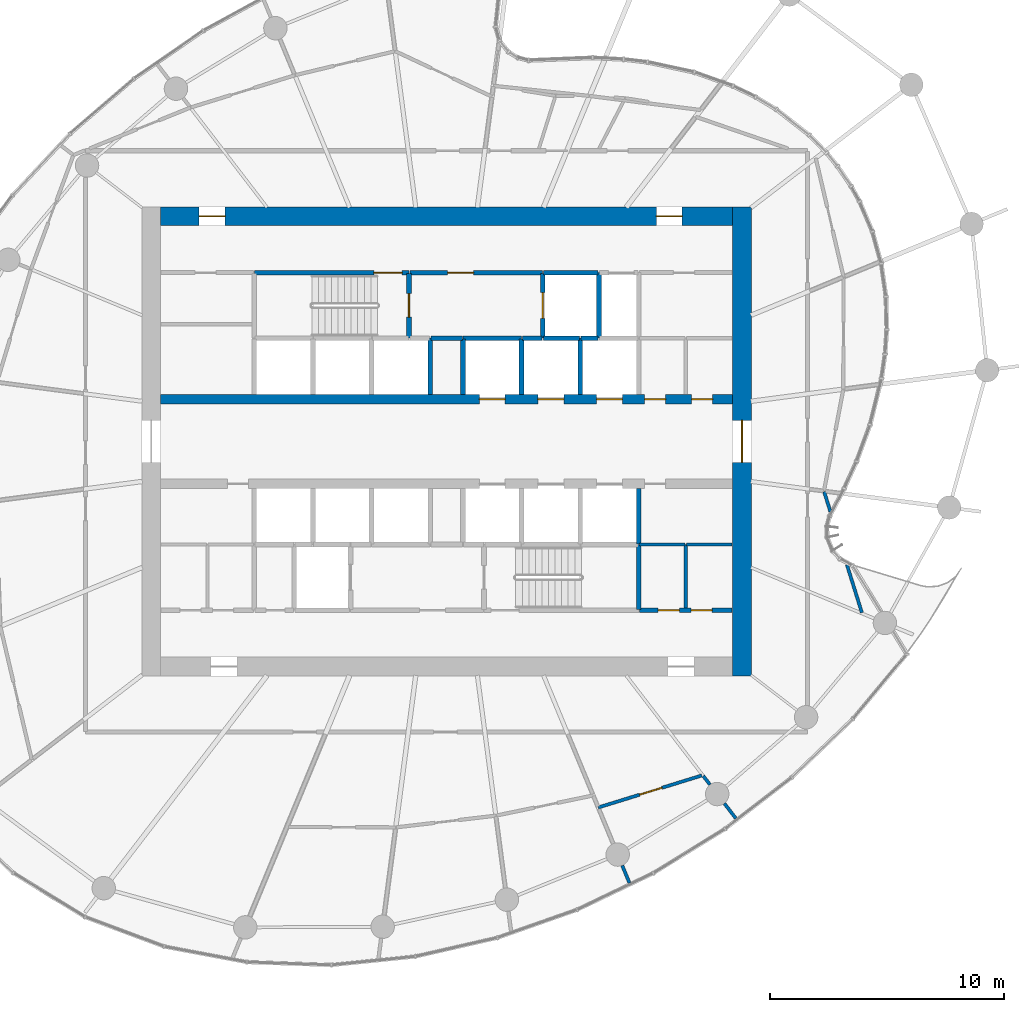
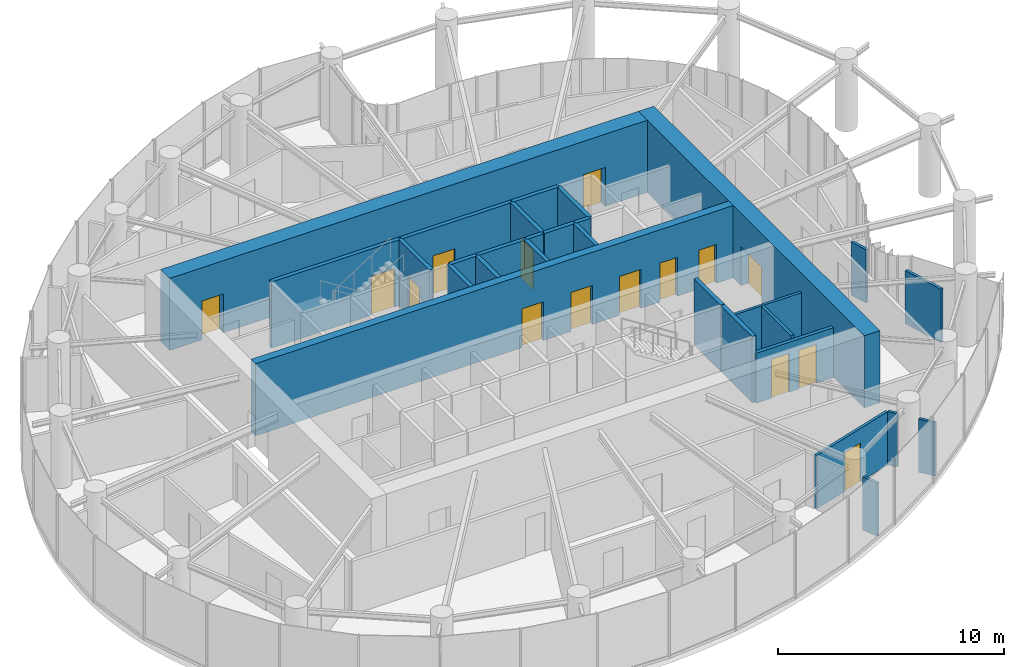
# One storey, part 15 of 19: 30 walls, 15 doors, 15 openings.
"""IFC4 building model written with IfcOpenShell, lengths in metres."""

from ifc_helpers import new_model, si_unit, direction, frame, frame_2d, origin, place, context, subcontext, project, spatial, rectangle, extrude, source, transform, mapped, material, layer, layer_set, type_object, element, fill, save


model = new_model("IFC4")

# Units and contexts
model_context = context("Model", 3, precision=1e-05, world=origin(), true_north=direction((0.0, 1.0)))
body_context = subcontext(model_context, "Body", "Model", "MODEL_VIEW")
ifc_project = project(units=[si_unit("LENGTHUNIT", "METRE"), si_unit("AREAUNIT", "SQUARE_METRE"), si_unit("VOLUMEUNIT", "CUBIC_METRE"), si_unit("PLANEANGLEUNIT", "RADIAN"), si_unit("MASSUNIT", "GRAM", prefix="KILO")], contexts=[model_context])

# Site, building, storey
site_placement = place(None, origin())
site = spatial("IfcSite", under=ifc_project, at=site_placement, CompositionType="ELEMENT")
building_placement = place(site_placement, origin())
building = spatial("IfcBuilding", under=site, at=building_placement, Name="Spindrift Exchange Tower", CompositionType="ELEMENT")
storey_placement = place(building_placement, frame((0.0, 0.0, 137.0)))
storey = spatial("IfcBuildingStorey", under=building, at=storey_placement, Name="L32", CompositionType="ELEMENT", Elevation=137.0)

# Wall, opening, door
ifc_material_1 = material(Name="Concrete 65 MPa", Category="concrete")
ifc_layer_1 = layer(ifc_material_1, 0.800048828125)
ifc_layer_set_1 = layer_set([ifc_layer_1], Name="RC Core Wall 800 Concrete 65 MPa")
wall_type_1 = type_object("IfcWallType", Name="RC Core Wall 800 Concrete 65 MPa", PredefinedType="SHEAR", material=ifc_layer_set_1)
wall_1_placement = place(storey_placement, frame((64.60009765625, 38.0, 0.0), z_axis=(0.0, 0.0, 1.0), x_axis=(0.0, 1.0, 0.0)))
wall_1 = element("IfcWall", 1, at=wall_1_placement, inside=storey, type_object=wall_type_1, Name="Core wall E L32", PredefinedType="SHEAR", context=body_context, shape_type="SweptSolid", body=[
    extrude(rectangle(XDim=20.0, YDim=0.800048828125, at=frame_2d((10.0, 0.0))), origin(), (0.0, 0.0, 1.0), 3.89990234375),
])
opening_1_placement = place(wall_1_placement, frame((9.10009765625, 0.0, 0.0)))
opening_1 = element("IfcOpeningElement", 2, at=opening_1_placement, cuts=wall_1, Name="Opening L32-D2", PredefinedType="OPENING", context=body_context, shape_type="SweptSolid", body=[
    extrude(rectangle(XDim=1.800048828125, YDim=2.10009765625, at=frame_2d((0.89990234375, 1.050048828125))), frame((0.0, 0.409912109375, 0.0), z_axis=(0.0, -1.0, 0.0), x_axis=(1.0, 0.0, 0.0)), (0.0, 0.0, 1.0), 0.820068359375),
])
ifc_material_2 = material(Name="Timber-core fire door", Category="wood")
door_type_1 = type_object("IfcDoorType", Name="DR-LOBBY-1800", OperationType="NOTDEFINED", PredefinedType="DOOR", material=ifc_material_2)
shared_shape_1 = source(origin(), body_context, "Body", "SweptSolid", [
    extrude(rectangle(XDim=1.800048828125, YDim=2.10009765625, at=frame_2d((0.89990234375, 1.050048828125))), frame((0.0, 0.02490234375, 0.0), z_axis=(0.0, -1.0, 0.0), x_axis=(1.0, 0.0, 0.0)), (0.0, 0.0, 1.0), 0.050048828125),
])
door_1_placement = place(opening_1_placement, origin())
door_1 = element("IfcDoor", 3, at=door_1_placement, inside=storey, type_object=door_type_1, Name="L32 Lobby door 2", OperationType="SINGLE_SWING_LEFT", OverallHeight=2.10009765625, OverallWidth=1.800048828125, PredefinedType="DOOR", context=body_context, shape_type="MappedRepresentation", body=[
    mapped(shared_shape_1, transform((0.0, 0.0, 0.0), scale=1.0)),
])
fill(opening_1, door_1)

# Wall, openings, doors
wall_2_placement = place(storey_placement, frame((64.199951171875, 57.60009765625, 0.0), z_axis=(0.0, 0.0, 1.0), x_axis=(-1.0, 0.0, 0.0)))
wall_2 = element("IfcWall", 4, at=wall_2_placement, inside=storey, type_object=wall_type_1, Name="Core wall N L32", PredefinedType="SHEAR", context=body_context, shape_type="SweptSolid", body=[
    extrude(rectangle(XDim=24.39990234375, YDim=0.800048828125, at=frame_2d((12.199951171875, 0.0))), origin(), (0.0, 0.0, 1.0), 3.89990234375),
])
opening_2_placement = place(wall_2_placement, frame((21.64990234375, 0.0, 0.0)))
opening_2 = element("IfcOpeningElement", 5, at=opening_2_placement, cuts=wall_2, Name="Opening L32-D19", PredefinedType="OPENING", context=body_context, shape_type="SweptSolid", body=[
    extrude(rectangle(XDim=1.10009765625, YDim=2.10009765625, at=frame_2d((0.550048828125, 1.050048828125))), frame((0.0, 0.409912109375, 0.0), z_axis=(0.0, -1.0, 0.0), x_axis=(1.0, 0.0, 0.0)), (0.0, 0.0, 1.0), 0.820068359375),
])
opening_3_placement = place(wall_2_placement, frame((2.14990234375, 0.0, 0.0)))
opening_3 = element("IfcOpeningElement", 6, at=opening_3_placement, cuts=wall_2, Name="Opening L32-D20", PredefinedType="OPENING", context=body_context, shape_type="SweptSolid", body=[
    extrude(rectangle(XDim=1.10009765625, YDim=2.10009765625, at=frame_2d((0.550048828125, 1.050048828125))), frame((0.0, 0.409912109375, 0.0), z_axis=(0.0, -1.0, 0.0), x_axis=(1.0, 0.0, 0.0)), (0.0, 0.0, 1.0), 0.820068359375),
])
ifc_material_3 = material(Name="Steel fire door", Category="steel")
door_type_2 = type_object("IfcDoorType", Name="DR-STAIR-1100", OperationType="NOTDEFINED", PredefinedType="DOOR", material=ifc_material_3)
shared_shape_2 = source(origin(), body_context, "Body", "SweptSolid", [
    extrude(rectangle(XDim=1.10009765625, YDim=2.10009765625, at=frame_2d((0.550048828125, 1.050048828125))), frame((0.0, 0.02490234375, 0.0), z_axis=(0.0, -1.0, 0.0), x_axis=(1.0, 0.0, 0.0)), (0.0, 0.0, 1.0), 0.050048828125),
])
door_2_placement = place(opening_2_placement, origin())
door_2 = element("IfcDoor", 7, at=door_2_placement, inside=storey, type_object=door_type_2, Name="L32 Stair door 19", OperationType="SINGLE_SWING_LEFT", OverallHeight=2.10009765625, OverallWidth=1.10009765625, PredefinedType="DOOR", context=body_context, shape_type="MappedRepresentation", body=[
    mapped(shared_shape_2, transform((0.0, 0.0, 0.0), scale=1.0)),
])
fill(opening_2, door_2)
door_3_placement = place(opening_3_placement, origin())
door_3 = element("IfcDoor", 8, at=door_3_placement, inside=storey, type_object=door_type_2, Name="L32 Stair door 20", OperationType="SINGLE_SWING_RIGHT", OverallHeight=2.10009765625, OverallWidth=1.10009765625, PredefinedType="DOOR", context=body_context, shape_type="MappedRepresentation", body=[
    mapped(shared_shape_2, transform((0.0, 0.0, 0.0), scale=1.0)),
])
fill(opening_3, door_3)

ifc_layer_2 = layer(ifc_material_1, 0.39990234375)
ifc_layer_set_2 = layer_set([ifc_layer_2], Name="RC Spine Wall 400 Concrete 65 MPa")
wall_type_2 = type_object("IfcWallType", Name="RC Spine Wall 400 Concrete 65 MPa", PredefinedType="SHEAR", material=ifc_layer_set_2)
wall_3_placement = place(storey_placement, frame((39.800048828125, 49.800048828125, 0.0), z_axis=(0.0, 0.0, 1.0), x_axis=(1.0, 0.0, 0.0)))
wall_3 = element("IfcWall", 9, at=wall_3_placement, inside=storey, type_object=wall_type_2, Name="Core spine wall N L32", PredefinedType="SHEAR", context=body_context, shape_type="SweptSolid", body=[
    extrude(rectangle(XDim=24.39990234375, YDim=0.39990234375, at=frame_2d((12.199951171875, 0.0))), origin(), (0.0, 0.0, 1.0), 3.89990234375),
])
opening_4_placement = place(wall_3_placement, frame((13.60009765625, 0.0, 0.0)))
opening_4 = element("IfcOpeningElement", 10, at=opening_4_placement, cuts=wall_3, Name="Opening L32-D3", PredefinedType="OPENING", context=body_context, shape_type="SweptSolid", body=[
    extrude(rectangle(XDim=1.10009765625, YDim=2.10009765625, at=frame_2d((0.550048828125, 1.050048828125))), frame((0.0, 0.2099609375, 0.0), z_axis=(0.0, -1.0, 0.0), x_axis=(1.0, 0.0, 0.0)), (0.0, 0.0, 1.0), 0.419921875),
])
opening_5_placement = place(wall_3_placement, frame((16.10009765625, 0.0, 0.0)))
opening_5 = element("IfcOpeningElement", 11, at=opening_5_placement, cuts=wall_3, Name="Opening L32-D4", PredefinedType="OPENING", context=body_context, shape_type="SweptSolid", body=[
    extrude(rectangle(XDim=1.10009765625, YDim=2.10009765625, at=frame_2d((0.550048828125, 1.050048828125))), frame((0.0, 0.2099609375, 0.0), z_axis=(0.0, -1.0, 0.0), x_axis=(1.0, 0.0, 0.0)), (0.0, 0.0, 1.0), 0.419921875),
])
opening_6_placement = place(wall_3_placement, frame((18.60009765625, 0.0, 0.0)))
opening_6 = element("IfcOpeningElement", 12, at=opening_6_placement, cuts=wall_3, Name="Opening L32-D5", PredefinedType="OPENING", context=body_context, shape_type="SweptSolid", body=[
    extrude(rectangle(XDim=1.10009765625, YDim=2.10009765625, at=frame_2d((0.550048828125, 1.050048828125))), frame((0.0, 0.2099609375, 0.0), z_axis=(0.0, -1.0, 0.0), x_axis=(1.0, 0.0, 0.0)), (0.0, 0.0, 1.0), 0.419921875),
])
opening_7_placement = place(wall_3_placement, frame((20.64990234375, 0.0, 0.0)))
opening_7 = element("IfcOpeningElement", 13, at=opening_7_placement, cuts=wall_3, Name="Opening L32-D55", PredefinedType="OPENING", context=body_context, shape_type="SweptSolid", body=[
    extrude(rectangle(XDim=0.89990234375, YDim=2.10009765625, at=frame_2d((0.449951171875, 1.050048828125))), frame((0.0, 0.2099609375, 0.0), z_axis=(0.0, -1.0, 0.0), x_axis=(1.0, 0.0, 0.0)), (0.0, 0.0, 1.0), 0.419921875),
])
opening_8_placement = place(wall_3_placement, frame((22.64990234375, 0.0, 0.0)))
opening_8 = element("IfcOpeningElement", 14, at=opening_8_placement, cuts=wall_3, Name="Opening L32-D56", PredefinedType="OPENING", context=body_context, shape_type="SweptSolid", body=[
    extrude(rectangle(XDim=0.89990234375, YDim=2.10009765625, at=frame_2d((0.449951171875, 1.050048828125))), frame((0.0, 0.2099609375, 0.0), z_axis=(0.0, -1.0, 0.0), x_axis=(1.0, 0.0, 0.0)), (0.0, 0.0, 1.0), 0.419921875),
])
ifc_material_4 = material(Name="Stainless steel landing door", Category="steel")
door_type_3 = type_object("IfcDoorType", Name="DR-LANDING-1100-SL", OperationType="DOUBLE_DOOR_SLIDING", PredefinedType="USERDEFINED", material=ifc_material_4)
shared_shape_3 = source(origin(), body_context, "Body", "SweptSolid", [
    extrude(rectangle(XDim=1.10009765625, YDim=2.10009765625, at=frame_2d((0.550048828125, 1.050048828125))), frame((0.0, 0.02490234375, 0.0), z_axis=(0.0, -1.0, 0.0), x_axis=(1.0, 0.0, 0.0)), (0.0, 0.0, 1.0), 0.050048828125),
])
door_4_placement = place(opening_4_placement, origin())
door_4 = element("IfcDoor", 15, at=door_4_placement, inside=storey, type_object=door_type_3, Name="L32 Lift landing door 3", ObjectType="LANDING DOOR", OperationType="DOUBLE_DOOR_SLIDING", OverallHeight=2.10009765625, OverallWidth=1.10009765625, PredefinedType="USERDEFINED", context=body_context, shape_type="MappedRepresentation", body=[
    mapped(shared_shape_3, transform((0.0, 0.0, 0.0), scale=1.0)),
])
fill(opening_4, door_4)
door_5_placement = place(opening_5_placement, origin())
door_5 = element("IfcDoor", 16, at=door_5_placement, inside=storey, type_object=door_type_3, Name="L32 Lift landing door 4", ObjectType="LANDING DOOR", OperationType="DOUBLE_DOOR_SLIDING", OverallHeight=2.10009765625, OverallWidth=1.10009765625, PredefinedType="USERDEFINED", context=body_context, shape_type="MappedRepresentation", body=[
    mapped(shared_shape_3, transform((0.0, 0.0, 0.0), scale=1.0)),
])
fill(opening_5, door_5)
door_6_placement = place(opening_6_placement, origin())
door_6 = element("IfcDoor", 17, at=door_6_placement, inside=storey, type_object=door_type_3, Name="L32 Lift landing door 5", ObjectType="LANDING DOOR", OperationType="DOUBLE_DOOR_SLIDING", OverallHeight=2.10009765625, OverallWidth=1.10009765625, PredefinedType="USERDEFINED", context=body_context, shape_type="MappedRepresentation", body=[
    mapped(shared_shape_3, transform((0.0, 0.0, 0.0), scale=1.0)),
])
fill(opening_6, door_6)
ifc_material_5 = material(Name="Steel access door", Category="steel")
door_type_4 = type_object("IfcDoorType", Name="DR-RISER-900", OperationType="NOTDEFINED", PredefinedType="DOOR", material=ifc_material_5)
shared_shape_4 = source(origin(), body_context, "Body", "SweptSolid", [
    extrude(rectangle(XDim=0.89990234375, YDim=2.10009765625, at=frame_2d((0.449951171875, 1.050048828125))), frame((0.0, 0.02490234375, 0.0), z_axis=(0.0, -1.0, 0.0), x_axis=(1.0, 0.0, 0.0)), (0.0, 0.0, 1.0), 0.050048828125),
])
door_7_placement = place(opening_7_placement, origin())
door_7 = element("IfcDoor", 18, at=door_7_placement, inside=storey, type_object=door_type_4, Name="L32 Riser door 55", OperationType="SINGLE_SWING_LEFT", OverallHeight=2.10009765625, OverallWidth=0.89990234375, PredefinedType="DOOR", context=body_context, shape_type="MappedRepresentation", body=[
    mapped(shared_shape_4, transform((0.0, 0.0, 0.0), scale=1.0)),
])
fill(opening_7, door_7)
door_8_placement = place(opening_8_placement, origin())
door_8 = element("IfcDoor", 19, at=door_8_placement, inside=storey, type_object=door_type_4, Name="L32 Riser door 56", OperationType="SINGLE_SWING_RIGHT", OverallHeight=2.10009765625, OverallWidth=0.89990234375, PredefinedType="DOOR", context=body_context, shape_type="MappedRepresentation", body=[
    mapped(shared_shape_4, transform((0.0, 0.0, 0.0), scale=1.0)),
])
fill(opening_8, door_8)

ifc_material_6 = material(Name="Fire-rated plasterboard partition", Category="gypsum")
ifc_layer_3 = layer(ifc_material_6, 0.179931640625)
ifc_layer_set_3 = layer_set([ifc_layer_3], Name="W-CORR-180")
wall_type_3 = type_object("IfcWallType", Name="W-CORR-180", PredefinedType="PARTITIONING", material=ifc_layer_set_3)
wall_4_placement = place(storey_placement, frame((60.22998046875, 40.800048828125, 0.0), z_axis=(0.0, 0.0, 1.0), x_axis=(1.0, 0.0, 0.0)))
wall_4 = element("IfcWall", 20, at=wall_4_placement, inside=storey, type_object=wall_type_3, Name="L32 Partition wall 59", PredefinedType="PARTITIONING", context=body_context, shape_type="SweptSolid", body=[
    extrude(rectangle(XDim=3.949951171875, YDim=0.179931640625, at=frame_2d((1.97509765625, 0.0))), origin(), (0.0, 0.0, 1.0), 2.699951171875),
])
opening_9_placement = place(wall_4_placement, frame((0.800048828125, 0.0, 0.0)))
opening_9 = element("IfcOpeningElement", 21, at=opening_9_placement, cuts=wall_4, Name="Opening L32-D58", PredefinedType="OPENING", context=body_context, shape_type="SweptSolid", body=[
    extrude(rectangle(XDim=0.89990234375, YDim=2.10009765625, at=frame_2d((0.449951171875, 1.050048828125))), frame((0.0, 0.099853515625, 0.0), z_axis=(0.0, -1.0, 0.0), x_axis=(1.0, 0.0, 0.0)), (0.0, 0.0, 1.0), 0.199951171875),
])
opening_10_placement = place(wall_4_placement, frame((2.199951171875, 0.0, 0.0)))
opening_10 = element("IfcOpeningElement", 22, at=opening_10_placement, cuts=wall_4, Name="Opening L32-D59", PredefinedType="OPENING", context=body_context, shape_type="SweptSolid", body=[
    extrude(rectangle(XDim=0.89990234375, YDim=2.10009765625, at=frame_2d((0.449951171875, 1.050048828125))), frame((0.0, 0.099853515625, 0.0), z_axis=(0.0, -1.0, 0.0), x_axis=(1.0, 0.0, 0.0)), (0.0, 0.0, 1.0), 0.199951171875),
])
door_9_placement = place(opening_9_placement, origin())
door_9 = element("IfcDoor", 23, at=door_9_placement, inside=storey, type_object=door_type_4, Name="L32 Riser door 58", OperationType="SINGLE_SWING_RIGHT", OverallHeight=2.10009765625, OverallWidth=0.89990234375, PredefinedType="DOOR", context=body_context, shape_type="MappedRepresentation", body=[
    mapped(shared_shape_4, transform((0.0, 0.0, 0.0), scale=1.0)),
])
fill(opening_9, door_9)
door_10_placement = place(opening_10_placement, origin())
door_10 = element("IfcDoor", 24, at=door_10_placement, inside=storey, type_object=door_type_4, Name="L32 Riser door 59", OperationType="SINGLE_SWING_LEFT", OverallHeight=2.10009765625, OverallWidth=0.89990234375, PredefinedType="DOOR", context=body_context, shape_type="MappedRepresentation", body=[
    mapped(shared_shape_4, transform((0.0, 0.0, 0.0), scale=1.0)),
])
fill(opening_10, door_10)

# Wall, opening, door
ifc_layer_4 = layer(ifc_material_6, 0.139892578125)
ifc_layer_set_4 = layer_set([ifc_layer_4], Name="W-PART-140")
wall_type_4 = type_object("IfcWallType", Name="W-PART-140", PredefinedType="PARTITIONING", material=ifc_layer_set_4)
wall_5_placement = place(storey_placement, frame((62.888427734375, 33.748291015625, 0.0), z_axis=(0.0, 0.0, 1.0), x_axis=(-0.955370687091, -0.295409631272, 0.0)))
wall_5 = element("IfcWall", 25, at=wall_5_placement, inside=storey, type_object=wall_type_4, Name="L32 Partition wall 77", PredefinedType="PARTITIONING", context=body_context, shape_type="SweptSolid", body=[
    extrude(rectangle(XDim=4.625732421875, YDim=0.139892578125, at=frame_2d((2.31298828125, 0.0))), origin(), (0.0, 0.0, 1.0), 2.8798828125),
])
opening_11_placement = place(wall_5_placement, frame((1.775634765625, 0.0, 0.0)))
opening_11 = element("IfcOpeningElement", 26, at=opening_11_placement, cuts=wall_5, Name="Opening L32-D47", PredefinedType="OPENING", context=body_context, shape_type="SweptSolid", body=[
    extrude(rectangle(XDim=1.0, YDim=2.10009765625, at=frame_2d((0.5, 1.050048828125))), frame((0.0, 0.079833984375, 0.0), z_axis=(0.0, -1.0, 0.0), x_axis=(1.0, 0.0, 0.0)), (0.0, 0.0, 1.0), 0.159912109375),
])
door_type_5 = type_object("IfcDoorType", Name="DR-ROOM-1000", OperationType="NOTDEFINED", PredefinedType="DOOR", material=ifc_material_2)
shared_shape_5 = source(origin(), body_context, "Body", "SweptSolid", [
    extrude(rectangle(XDim=1.0, YDim=2.10009765625, at=frame_2d((0.5, 1.050048828125))), frame((0.0, 0.02490234375, 0.0), z_axis=(0.0, -1.0, 0.0), x_axis=(1.0, 0.0, 0.0)), (0.0, 0.0, 1.0), 0.050048828125),
])
door_11_placement = place(opening_11_placement, origin())
door_11 = element("IfcDoor", 27, at=door_11_placement, inside=storey, type_object=door_type_5, Name="L32 Door 47", OperationType="SINGLE_SWING_LEFT", OverallHeight=2.10009765625, OverallWidth=1.0, PredefinedType="DOOR", context=body_context, shape_type="MappedRepresentation", body=[
    mapped(shared_shape_5, transform((0.0, 0.0, 0.0), scale=1.0)),
])
fill(opening_11, door_11)

# Walls
wall_6_placement = place(storey_placement, frame((62.199951171875, 40.889892578125, 0.0), z_axis=(0.0, 0.0, 1.0), x_axis=(0.0, 1.0, 0.0)))
element("IfcWall", 28, at=wall_6_placement, inside=storey, type_object=wall_type_4, Name="L32 Partition wall 93", PredefinedType="PARTITIONING", context=body_context, shape_type="SweptSolid", body=[
    extrude(rectangle(XDim=2.710205078125, YDim=0.139892578125, at=frame_2d((1.35498046875, 0.0))), origin(), (0.0, 0.0, 1.0), 2.8798828125),
])
wall_7_placement = place(storey_placement, frame((69.7158203125, 40.695068359375, 0.0), z_axis=(0.0, 0.0, 1.0), x_axis=(-0.297612160268, 0.954686860735, 0.0)))
element("IfcWall", 29, at=wall_7_placement, inside=storey, type_object=wall_type_4, Name="L32 Partition wall 99", PredefinedType="PARTITIONING", context=body_context, shape_type="SweptSolid", body=[
    extrude(rectangle(XDim=2.139404296875, YDim=0.139892578125, at=frame_2d((1.06982421875, 0.0))), origin(), (0.0, 0.0, 1.0), 2.8798828125),
])
wall_8_placement = place(storey_placement, frame((60.22998046875, 43.60009765625, 0.0), z_axis=(0.0, 0.0, 1.0), x_axis=(1.0, 0.0, 0.0)))
element("IfcWall", 30, at=wall_8_placement, inside=storey, type_object=wall_type_4, Name="L32 Partition wall 101", PredefinedType="PARTITIONING", context=body_context, shape_type="SweptSolid", body=[
    extrude(rectangle(XDim=1.93994140625, YDim=0.139892578125, at=frame_2d((0.969970703125, 0.0))), origin(), (0.0, 0.0, 1.0), 2.8798828125),
])
wall_9_placement = place(storey_placement, frame((62.22998046875, 43.60009765625, 0.0), z_axis=(0.0, 0.0, 1.0), x_axis=(1.0, 0.0, 0.0)))
element("IfcWall", 31, at=wall_9_placement, inside=storey, type_object=wall_type_4, Name="L32 Partition wall 103", PredefinedType="PARTITIONING", context=body_context, shape_type="SweptSolid", body=[
    extrude(rectangle(XDim=1.949951171875, YDim=0.139892578125, at=frame_2d((0.97509765625, 0.0))), origin(), (0.0, 0.0, 1.0), 2.8798828125),
])
wall_10_placement = place(storey_placement, frame((68.37353515625, 45.000244140625, 0.0), z_axis=(0.0, 0.0, 1.0), x_axis=(-0.29777626912, 0.954635686296, 0.0)))
element("IfcWall", 32, at=wall_10_placement, inside=storey, type_object=wall_type_4, Name="L32 Partition wall 117", PredefinedType="PARTITIONING", context=body_context, shape_type="SweptSolid", body=[
    extrude(rectangle(XDim=0.89208984375, YDim=0.139892578125, at=frame_2d((0.446044921875, 0.0))), origin(), (0.0, 0.0, 1.0), 2.8798828125),
])
wall_11_placement = place(storey_placement, frame((59.494140625, 29.90771484375, 0.0), z_axis=(0.0, 0.0, 1.0), x_axis=(0.382655293316, -0.923891187585, 0.0)))
element("IfcWall", 33, at=wall_11_placement, inside=storey, type_object=wall_type_4, Name="L32 Partition wall 122", PredefinedType="PARTITIONING", context=body_context, shape_type="SweptSolid", body=[
    extrude(rectangle(XDim=0.80517578125, YDim=0.139892578125, at=frame_2d((0.402587890625, 0.0))), origin(), (0.0, 0.0, 1.0), 2.8798828125),
])
wall_12_placement = place(storey_placement, frame((63.85107421875, 32.555419921875, 0.0), z_axis=(0.0, 0.0, 1.0), x_axis=(0.60864917868, -0.793439460383, 0.0)))
element("IfcWall", 34, at=wall_12_placement, inside=storey, type_object=wall_type_4, Name="L32 Partition wall 126", PredefinedType="PARTITIONING", context=body_context, shape_type="SweptSolid", body=[
    extrude(rectangle(XDim=0.800537109375, YDim=0.139892578125, at=frame_2d((0.400390625, 0.0))), origin(), (0.0, 0.0, 1.0), 2.8798828125),
])
wall_13_placement = place(storey_placement, frame((62.951904296875, 33.72705078125, 0.0), z_axis=(0.0, 0.0, 1.0), x_axis=(0.608727169633, -0.79337962726, 0.0)))
element("IfcWall", 35, at=wall_13_placement, inside=storey, type_object=wall_type_4, Name="L32 Partition wall 132", PredefinedType="PARTITIONING", context=body_context, shape_type="SweptSolid", body=[
    extrude(rectangle(XDim=0.468017578125, YDim=0.139892578125, at=frame_2d((0.23388671875, 0.0))), origin(), (0.0, 0.0, 1.0), 2.8798828125),
])

# Wall, opening, door
ifc_material_7 = material(Name="Concrete 40 MPa", Category="concrete")
ifc_layer_5 = layer(ifc_material_7, 0.199951171875)
ifc_layer_set_5 = layer_set([ifc_layer_5], Name="W-SHAFT-200")
wall_type_5 = type_object("IfcWallType", Name="W-SHAFT-200", PredefinedType="SOLIDWALL", material=ifc_layer_set_5)
wall_14_placement = place(storey_placement, frame((56.10009765625, 55.169921875, 0.0), z_axis=(0.0, 0.0, 1.0), x_axis=(0.0, -1.0, 0.0)))
wall_14 = element("IfcWall", 36, at=wall_14_placement, inside=storey, type_object=wall_type_5, Name="L32 Shaft wall 12", PredefinedType="SOLIDWALL", context=body_context, shape_type="SweptSolid", body=[
    extrude(rectangle(XDim=2.77001953125, YDim=0.199951171875, at=frame_2d((1.385009765625, 0.0))), origin(), (0.0, 0.0, 1.0), 3.580078125),
])
opening_12_placement = place(wall_14_placement, frame((0.820068359375, 0.0, 0.0)))
opening_12 = element("IfcOpeningElement", 37, at=opening_12_placement, cuts=wall_14, Name="Opening L32-D9", PredefinedType="OPENING", context=body_context, shape_type="SweptSolid", body=[
    extrude(rectangle(XDim=1.10009765625, YDim=2.10009765625, at=frame_2d((0.550048828125, 1.050048828125))), frame((0.0, 0.10986328125, 0.0), z_axis=(0.0, -1.0, 0.0), x_axis=(1.0, 0.0, 0.0)), (0.0, 0.0, 1.0), 0.219970703125),
])
door_12_placement = place(opening_12_placement, origin())
door_12 = element("IfcDoor", 38, at=door_12_placement, inside=storey, type_object=door_type_3, Name="L32 Lift landing door 9", ObjectType="LANDING DOOR", OperationType="DOUBLE_DOOR_SLIDING", OverallHeight=2.10009765625, OverallWidth=1.10009765625, PredefinedType="USERDEFINED", context=body_context, shape_type="MappedRepresentation", body=[
    mapped(shared_shape_3, transform((0.0, 0.0, 0.0), scale=1.0)),
])
fill(opening_12, door_12)

# Walls
wall_15_placement = place(storey_placement, frame((58.5, 52.39990234375, 0.0), z_axis=(0.0, 0.0, 1.0), x_axis=(0.0, 1.0, 0.0)))
element("IfcWall", 39, at=wall_15_placement, inside=storey, type_object=wall_type_5, Name="L32 Shaft wall 13", PredefinedType="SOLIDWALL", context=body_context, shape_type="SweptSolid", body=[
    extrude(rectangle(XDim=2.800048828125, YDim=0.199951171875, at=frame_2d((1.39990234375, 0.0))), origin(), (0.0, 0.0, 1.0), 3.580078125),
])
wall_16_placement = place(storey_placement, frame((55.199951171875, 52.39990234375, 0.0), z_axis=(0.0, 0.0, 1.0), x_axis=(-1.0, 0.0, 0.0)))
element("IfcWall", 40, at=wall_16_placement, inside=storey, type_object=wall_type_5, Name="L32 Shaft wall 18", PredefinedType="SOLIDWALL", context=body_context, shape_type="SweptSolid", body=[
    extrude(rectangle(XDim=2.5, YDim=0.199951171875, at=frame_2d((1.25, 0.0))), origin(), (0.0, 0.0, 1.0), 3.580078125),
])
wall_17_placement = place(storey_placement, frame((58.469970703125, 55.199951171875, 0.0), z_axis=(0.0, 0.0, 1.0), x_axis=(-1.0, 0.0, 0.0)))
element("IfcWall", 41, at=wall_17_placement, inside=storey, type_object=wall_type_5, Name="L32 Shaft wall 22", PredefinedType="SOLIDWALL", context=body_context, shape_type="SweptSolid", body=[
    extrude(rectangle(XDim=2.340087890625, YDim=0.199951171875, at=frame_2d((1.169921875, 0.0))), origin(), (0.0, 0.0, 1.0), 3.580078125),
])
wall_18_placement = place(storey_placement, frame((51.300048828125, 50.010009765625, 0.0), z_axis=(0.0, 0.0, 1.0), x_axis=(0.0, 1.0, 0.0)))
element("IfcWall", 42, at=wall_18_placement, inside=storey, type_object=wall_type_5, Name="L32 Shaft wall 30", PredefinedType="SOLIDWALL", context=body_context, shape_type="SweptSolid", body=[
    extrude(rectangle(XDim=2.389892578125, YDim=0.199951171875, at=frame_2d((1.19482421875, 0.0))), origin(), (0.0, 0.0, 1.0), 3.580078125),
])
for number, where, z_axis, x_axis, name in (
    (43, (52.699951171875, 52.3701171875, 0.0), (0.0, 0.0, 1.0), (0.0, -1.0, 0.0), "L32 Shaft wall 32"),
    (44, (55.199951171875, 50.010009765625, 0.0), (0.0, 0.0, 1.0), (0.0, 1.0, 0.0), "L32 Shaft wall 34"),
):
    element("IfcWall", number, at=place(storey_placement, frame(where, z_axis=z_axis, x_axis=x_axis)), inside=storey, type_object=wall_type_5, Name=name, PredefinedType="SOLIDWALL", context=body_context, shape_type="SweptSolid", body=[
        extrude(rectangle(XDim=2.360107421875, YDim=0.199951171875, at=frame_2d((1.18017578125, 0.0))), origin(), (0.0, 0.0, 1.0), 3.580078125),
    ])
wall_19_placement = place(storey_placement, frame((57.699951171875, 50.010009765625, 0.0), z_axis=(0.0, 0.0, 1.0), x_axis=(0.0, 1.0, 0.0)))
element("IfcWall", 45, at=wall_19_placement, inside=storey, type_object=wall_type_5, Name="L32 Shaft wall 36", PredefinedType="SOLIDWALL", context=body_context, shape_type="SweptSolid", body=[
    extrude(rectangle(XDim=2.389892578125, YDim=0.199951171875, at=frame_2d((1.19482421875, 0.0))), origin(), (0.0, 0.0, 1.0), 3.580078125),
])
wall_20_placement = place(storey_placement, frame((57.669921875, 52.39990234375, 0.0), z_axis=(0.0, 0.0, 1.0), x_axis=(-1.0, 0.0, 0.0)))
element("IfcWall", 46, at=wall_20_placement, inside=storey, type_object=wall_type_5, Name="L32 Shaft wall 46", PredefinedType="SOLIDWALL", context=body_context, shape_type="SweptSolid", body=[
    extrude(rectangle(XDim=1.5400390625, YDim=0.199951171875, at=frame_2d((0.77001953125, 0.0))), origin(), (0.0, 0.0, 1.0), 3.580078125),
])
wall_21_placement = place(storey_placement, frame((51.330078125, 52.39990234375, 0.0), z_axis=(0.0, 0.0, 1.0), x_axis=(1.0, 0.0, 0.0)))
element("IfcWall", 47, at=wall_21_placement, inside=storey, type_object=wall_type_5, Name="L32 Shaft wall 48", PredefinedType="SOLIDWALL", context=body_context, shape_type="SweptSolid", body=[
    extrude(rectangle(XDim=1.33984375, YDim=0.199951171875, at=frame_2d((0.669921875, 0.0))), origin(), (0.0, 0.0, 1.0), 3.580078125),
])
wall_22_placement = place(storey_placement, frame((56.070068359375, 52.39990234375, 0.0), z_axis=(0.0, 0.0, 1.0), x_axis=(-1.0, 0.0, 0.0)))
element("IfcWall", 48, at=wall_22_placement, inside=storey, type_object=wall_type_5, Name="L32 Shaft wall 52", PredefinedType="SOLIDWALL", context=body_context, shape_type="SweptSolid", body=[
    extrude(rectangle(XDim=0.840087890625, YDim=0.199951171875, at=frame_2d((0.419921875, 0.0))), origin(), (0.0, 0.0, 1.0), 3.580078125),
])
wall_23_placement = place(storey_placement, frame((58.469970703125, 52.39990234375, 0.0), z_axis=(0.0, 0.0, 1.0), x_axis=(-1.0, 0.0, 0.0)))
element("IfcWall", 49, at=wall_23_placement, inside=storey, type_object=wall_type_5, Name="L32 Shaft wall 54", PredefinedType="SOLIDWALL", context=body_context, shape_type="SweptSolid", body=[
    extrude(rectangle(XDim=0.739990234375, YDim=0.199951171875, at=frame_2d((0.3701171875, 0.0))), origin(), (0.0, 0.0, 1.0), 3.580078125),
])

# Wall, opening, door
ifc_layer_6 = layer(ifc_material_7, 0.199951171875)
ifc_layer_set_6 = layer_set([ifc_layer_6], Name="W-SHAFT-200-LB")
wall_type_6 = type_object("IfcWallType", Name="W-SHAFT-200-LB", PredefinedType="SOLIDWALL", material=ifc_layer_set_6)
wall_24_placement = place(storey_placement, frame((50.39990234375, 55.199951171875, 0.0), z_axis=(0.0, 0.0, 1.0), x_axis=(-1.0, 0.0, 0.0)))
wall_24 = element("IfcWall", 50, at=wall_24_placement, inside=storey, type_object=wall_type_6, Name="L32 Shaft wall 1", PredefinedType="SOLIDWALL", context=body_context, shape_type="SweptSolid", body=[
    extrude(rectangle(XDim=6.599853515625, YDim=0.199951171875, at=frame_2d((3.2998046875, 0.0))), origin(), (0.0, 0.0, 1.0), 3.580078125),
])
opening_13_placement = place(wall_24_placement, frame((0.300048828125, 0.0, 0.0)))
opening_13 = element("IfcOpeningElement", 51, at=opening_13_placement, cuts=wall_24, Name="Opening L32-D12", PredefinedType="OPENING", context=body_context, shape_type="SweptSolid", body=[
    extrude(rectangle(XDim=1.199951171875, YDim=2.10009765625, at=frame_2d((0.60009765625, 1.050048828125))), frame((0.0, 0.10986328125, 0.0), z_axis=(0.0, -1.0, 0.0), x_axis=(1.0, 0.0, 0.0)), (0.0, 0.0, 1.0), 0.219970703125),
])
door_type_6 = type_object("IfcDoorType", Name="DR-STAIR-1200", OperationType="NOTDEFINED", PredefinedType="DOOR", material=ifc_material_3)
shared_shape_6 = source(origin(), body_context, "Body", "SweptSolid", [
    extrude(rectangle(XDim=1.199951171875, YDim=2.10009765625, at=frame_2d((0.60009765625, 1.050048828125))), frame((0.0, 0.02490234375, 0.0), z_axis=(0.0, -1.0, 0.0), x_axis=(1.0, 0.0, 0.0)), (0.0, 0.0, 1.0), 0.050048828125),
])
door_13_placement = place(opening_13_placement, origin())
door_13 = element("IfcDoor", 52, at=door_13_placement, inside=storey, type_object=door_type_6, Name="L32 Stair door 12", OperationType="SINGLE_SWING_RIGHT", OverallHeight=2.10009765625, OverallWidth=1.199951171875, PredefinedType="DOOR", context=body_context, shape_type="MappedRepresentation", body=[
    mapped(shared_shape_6, transform((0.0, 0.0, 0.0), scale=1.0)),
])
fill(opening_13, door_13)

wall_25_placement = place(storey_placement, frame((56.10009765625, 55.199951171875, 0.0), z_axis=(0.0, 0.0, 1.0), x_axis=(-1.0, 0.0, 0.0)))
wall_25 = element("IfcWall", 53, at=wall_25_placement, inside=storey, type_object=wall_type_6, Name="L32 Shaft wall 4", PredefinedType="SOLIDWALL", context=body_context, shape_type="SweptSolid", body=[
    extrude(rectangle(XDim=5.670166015625, YDim=0.199951171875, at=frame_2d((2.8349609375, 0.0))), origin(), (0.0, 0.0, 1.0), 3.580078125),
])
opening_14_placement = place(wall_25_placement, frame((2.949951171875, 0.0, 0.0)))
opening_14 = element("IfcOpeningElement", 54, at=opening_14_placement, cuts=wall_25, Name="Opening L32-D14", PredefinedType="OPENING", context=body_context, shape_type="SweptSolid", body=[
    extrude(rectangle(XDim=1.10009765625, YDim=2.10009765625, at=frame_2d((0.550048828125, 1.050048828125))), frame((0.0, 0.10986328125, 0.0), z_axis=(0.0, -1.0, 0.0), x_axis=(1.0, 0.0, 0.0)), (0.0, 0.0, 1.0), 0.219970703125),
])
door_type_7 = type_object("IfcDoorType", Name="DR-LOBBY-1100", OperationType="NOTDEFINED", PredefinedType="DOOR", material=ifc_material_2)
shared_shape_7 = source(origin(), body_context, "Body", "SweptSolid", [
    extrude(rectangle(XDim=1.10009765625, YDim=2.10009765625, at=frame_2d((0.550048828125, 1.050048828125))), frame((0.0, 0.02490234375, 0.0), z_axis=(0.0, -1.0, 0.0), x_axis=(1.0, 0.0, 0.0)), (0.0, 0.0, 1.0), 0.050048828125),
])
door_14_placement = place(opening_14_placement, origin())
door_14 = element("IfcDoor", 55, at=door_14_placement, inside=storey, type_object=door_type_7, Name="L32 Lobby door 14", OperationType="SINGLE_SWING_RIGHT", OverallHeight=2.10009765625, OverallWidth=1.10009765625, PredefinedType="DOOR", context=body_context, shape_type="MappedRepresentation", body=[
    mapped(shared_shape_7, transform((0.0, 0.0, 0.0), scale=1.0)),
])
fill(opening_14, door_14)

wall_26_placement = place(storey_placement, frame((50.39990234375, 52.39990234375, 0.0), z_axis=(0.0, 0.0, 1.0), x_axis=(0.0, 1.0, 0.0)))
wall_26 = element("IfcWall", 56, at=wall_26_placement, inside=storey, type_object=wall_type_6, Name="L32 Shaft wall 9", PredefinedType="SOLIDWALL", context=body_context, shape_type="SweptSolid", body=[
    extrude(rectangle(XDim=2.77001953125, YDim=0.199951171875, at=frame_2d((1.385009765625, 0.0))), origin(), (0.0, 0.0, 1.0), 3.580078125),
])
opening_15_placement = place(wall_26_placement, frame((0.89990234375, 0.0, 0.0)))
opening_15 = element("IfcOpeningElement", 57, at=opening_15_placement, cuts=wall_26, Name="Opening L32-D13", PredefinedType="OPENING", context=body_context, shape_type="SweptSolid", body=[
    extrude(rectangle(XDim=1.0, YDim=2.10009765625, at=frame_2d((0.5, 1.050048828125))), frame((0.0, 0.10986328125, 0.0), z_axis=(0.0, -1.0, 0.0), x_axis=(1.0, 0.0, 0.0)), (0.0, 0.0, 1.0), 0.219970703125),
])
door_type_8 = type_object("IfcDoorType", Name="DR-STAIR-1000", OperationType="NOTDEFINED", PredefinedType="DOOR", material=ifc_material_3)
shared_shape_8 = source(origin(), body_context, "Body", "SweptSolid", [
    extrude(rectangle(XDim=1.0, YDim=2.10009765625, at=frame_2d((0.5, 1.050048828125))), frame((0.0, 0.02490234375, 0.0), z_axis=(0.0, -1.0, 0.0), x_axis=(1.0, 0.0, 0.0)), (0.0, 0.0, 1.0), 0.050048828125),
])
door_15_placement = place(opening_15_placement, origin())
door_15 = element("IfcDoor", 58, at=door_15_placement, inside=storey, type_object=door_type_8, Name="L32 Stair door 13", OperationType="SINGLE_SWING_LEFT", OverallHeight=2.10009765625, OverallWidth=1.0, PredefinedType="DOOR", context=body_context, shape_type="MappedRepresentation", body=[
    mapped(shared_shape_8, transform((0.0, 0.0, 0.0), scale=1.0)),
])
fill(opening_15, door_15)

# Walls
wall_27_placement = place(storey_placement, frame((60.199951171875, 40.830078125, 0.0), z_axis=(0.0, 0.0, 1.0), x_axis=(0.0, 1.0, 0.0)))
element("IfcWall", 59, at=wall_27_placement, inside=storey, type_object=wall_type_6, Name="L32 Shaft wall 10", PredefinedType="SOLIDWALL", context=body_context, shape_type="SweptSolid", body=[
    extrude(rectangle(XDim=2.77001953125, YDim=0.199951171875, at=frame_2d((1.385009765625, 0.0))), origin(), (0.0, 0.0, 1.0), 3.580078125),
])
wall_28_placement = place(storey_placement, frame((60.199951171875, 43.6298828125, 0.0), z_axis=(0.0, 0.0, 1.0), x_axis=(0.0, 1.0, 0.0)))
element("IfcWall", 60, at=wall_28_placement, inside=storey, type_object=wall_type_6, Name="L32 Shaft wall 37", PredefinedType="SOLIDWALL", context=body_context, shape_type="SweptSolid", body=[
    extrude(rectangle(XDim=2.360107421875, YDim=0.199951171875, at=frame_2d((1.18017578125, 0.0))), origin(), (0.0, 0.0, 1.0), 3.580078125),
])

save(model, "model.ifc")
